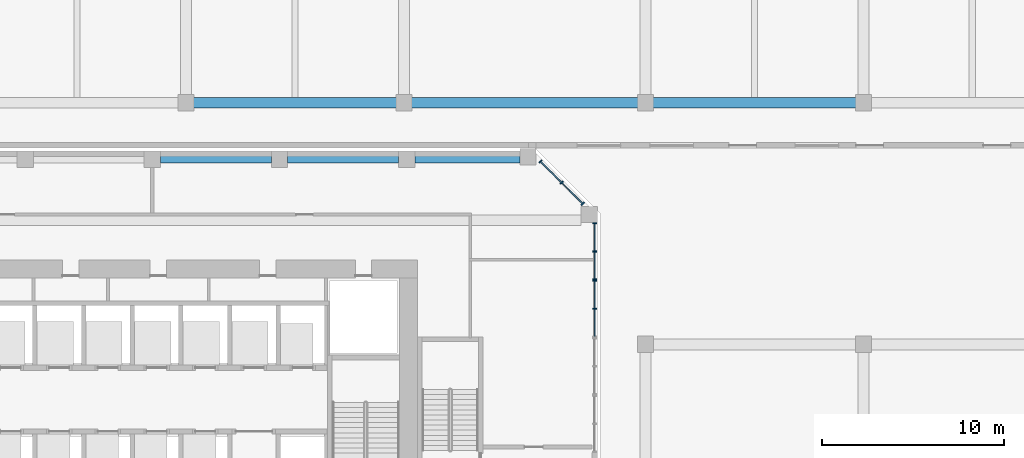
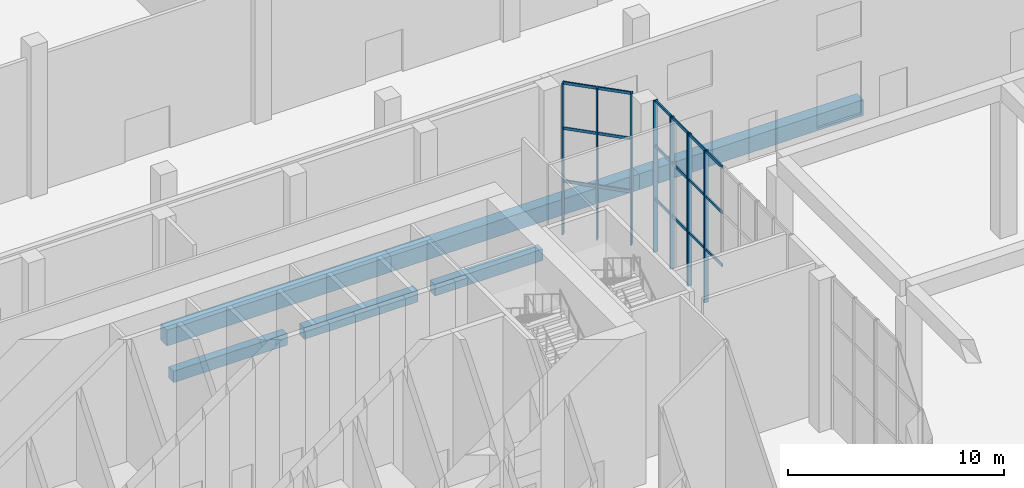
# One storey, part 12 of 43: 26 members, 6 beams, 3 elements without a shape of their own.
"""IFC4 building model written with IfcOpenShell, lengths in metres."""

from ifc_helpers import new_model, si_unit, direction, frame, origin, origin_2d, place, context, subcontext, project, spatial, rectangle, extrude, source, transform, mapped, material, material_profile, profile_set, type_object, element, aggregate, save


model = new_model("IFC4")

# Units and contexts
model_context = context("Model", 3, precision=1e-05, world=origin(), true_north=direction((0.0, 1.0)))
body_context = subcontext(model_context, "Body", "Model", "MODEL_VIEW")
ifc_project = project(units=[si_unit("LENGTHUNIT", "METRE"), si_unit("AREAUNIT", "SQUARE_METRE"), si_unit("VOLUMEUNIT", "CUBIC_METRE"), si_unit("PLANEANGLEUNIT", "RADIAN"), si_unit("MASSUNIT", "GRAM", prefix="KILO")], contexts=[model_context])

# Site, building, storey
site_placement = place(None, origin())
site = spatial("IfcSite", under=ifc_project, at=site_placement, CompositionType="ELEMENT")
building_placement = place(site_placement, origin())
building = spatial("IfcBuilding", under=site, at=building_placement, Name="Kilnfold Tower and Market Hall", CompositionType="ELEMENT")
storey_placement = place(building_placement, origin())
storey = spatial("IfcBuildingStorey", under=building, at=storey_placement, Name="L00", CompositionType="ELEMENT", Elevation=0.0)

# Beams
ifc_material_1 = material(Name="Concrete C40/50", Category="concrete")
ifc_material_profile_1 = material_profile(ifc_material_1, rectangle(XDim=0.60009765625, YDim=0.89990234375, at=origin_2d()), Name="RC 600x900")
ifc_profile_set_1 = profile_set([ifc_material_profile_1], Name="Concrete C40/50")
beam_type_1 = type_object("IfcBeamType", Name="HALL GIRDER 600X900", PredefinedType="BEAM", material=ifc_profile_set_1)
beam_1_placement = place(storey_placement, frame((5.35009765625, 30.64990234375, -0.860107421875), z_axis=(1.0, 0.0, 0.0), x_axis=(0.0, 1.0, 0.0)))
element("IfcBeam", 1, at=beam_1_placement, inside=storey, type_object=beam_type_1, Name="Beam MG1.57", PredefinedType="BEAM", context=body_context, shape_type="SweptSolid", body=[
    extrude(rectangle(XDim=0.60009765625, YDim=0.89990234375, at=origin_2d()), origin(), (0.0, 0.0, 1.0), 12.0),
])
beam_2_placement = place(storey_placement, frame((17.35009765625, 30.64990234375, -0.860107421875), z_axis=(1.0, 0.0, 0.0), x_axis=(0.0, 1.0, 0.0)))
element("IfcBeam", 2, at=beam_2_placement, inside=storey, type_object=beam_type_1, Name="Beam MG1.62", PredefinedType="BEAM", context=body_context, shape_type="SweptSolid", body=[
    extrude(rectangle(XDim=0.60009765625, YDim=0.89990234375, at=origin_2d()), origin(), (0.0, 0.0, 1.0), 13.2998046875),
])
beam_3_placement = place(storey_placement, frame((30.64990234375, 30.64990234375, -0.860107421875), z_axis=(1.0, 0.0, 0.0), x_axis=(0.0, 1.0, 0.0)))
element("IfcBeam", 3, at=beam_3_placement, inside=storey, type_object=beam_type_1, Name="Beam MG1.67", PredefinedType="BEAM", context=body_context, shape_type="SweptSolid", body=[
    extrude(rectangle(XDim=0.60009765625, YDim=0.89990234375, at=origin_2d()), origin(), (0.0, 0.0, 1.0), 12.0),
])
ifc_material_2 = material(Name="Concrete C45", Category="concrete")
ifc_material_profile_2 = material_profile(ifc_material_2, rectangle(XDim=0.449951171875, YDim=0.64990234375, at=origin_2d()), Name="RC 450x650")
ifc_profile_set_2 = profile_set([ifc_material_profile_2], Name="Concrete C45")
beam_type_2 = type_object("IfcBeamType", Name="EDGE BEAM 450X650 C45", PredefinedType="BEAM", material=ifc_profile_set_2)
shared_shape_1 = source(origin(), body_context, "Body", "SweptSolid", [
    extrude(rectangle(XDim=0.449951171875, YDim=0.64990234375, at=origin_2d()), origin(), (0.0, 0.0, 1.0), 6.10009765625),
])
for number, where, z_axis, x_axis, name in (
    (4, (3.949951171875, 27.550048828125, -0.735107421875), (1.0, 0.0, 0.0), (0.0, 1.0, 0.0), "Beam EB650-B1.27"),
    (5, (10.949951171875, 27.550048828125, -0.735107421875), (1.0, 0.0, 0.0), (0.0, 1.0, 0.0), "Beam EB650-B1.28"),
):
    element("IfcBeam", number, at=place(storey_placement, frame(where, z_axis=z_axis, x_axis=x_axis)), inside=storey, type_object=beam_type_2, Name=name, PredefinedType="BEAM", context=body_context, shape_type="MappedRepresentation", body=[
        mapped(shared_shape_1, transform((0.0, 0.0, 0.0))),
    ])
shared_shape_2 = source(origin(), body_context, "Body", "SweptSolid", [
    extrude(rectangle(XDim=0.449951171875, YDim=0.64990234375, at=origin_2d()), origin(), (0.0, 0.0, 1.0), 5.78173828125),
])
beam_4_placement = place(storey_placement, frame((17.949951171875, 27.550048828125, -0.735107421875), z_axis=(1.0, 0.0, 0.0), x_axis=(0.0, 1.0, 0.0)))
element("IfcBeam", 6, at=beam_4_placement, inside=storey, type_object=beam_type_2, Name="Beam EB650-B1.29", PredefinedType="BEAM", context=body_context, shape_type="MappedRepresentation", body=[
    mapped(shared_shape_2, transform((0.0, 0.0, 0.0))),
])

# Curtain wall, members
ifc_material_3 = material(Name="Aluminium and double glazing", Category="aluminium")
curtain_wall_type = type_object("IfcCurtainWallType", Name="CW BASE PODIUM GLAZING", PredefinedType="NOTDEFINED", material=ifc_material_3)
curtain_wall_1_placement = place(storey_placement, origin())
curtain_wall_1 = element("IfcCurtainWall", 7, at=curtain_wall_1_placement, inside=storey, type_object=curtain_wall_type, Name="Curtain wall CW4 L00 E", PredefinedType="NOTDEFINED")
ifc_material_4 = material(Name="Aluminium", Category="aluminium")
ifc_material_profile_3 = material_profile(ifc_material_4, rectangle(XDim=0.070068359375, YDim=0.219970703125, at=origin_2d()), Name="MULLION 70x220")
ifc_profile_set_3 = profile_set([ifc_material_profile_3], Name="Aluminium")
member_type_1 = type_object("IfcMemberType", Name="MULLION 70X220", PredefinedType="MULLION", material=ifc_profile_set_3)
shared_shape_3 = source(origin(), body_context, "Body", "SweptSolid", [
    extrude(rectangle(XDim=0.070068359375, YDim=0.219970703125, at=origin_2d()), origin(), (0.0, 0.0, 1.0), 8.60009765625),
])
member_1_placement = place(storey_placement, frame((27.85009765625, 19.30615234375, 0.0), z_axis=(0.0, 0.0, 1.0), x_axis=(0.0, 1.0, 0.0)))
member_1 = element("IfcMember", 8, at=member_1_placement, type_object=member_type_1, Name="CW4 mullion 2", PredefinedType="MULLION", context=body_context, shape_type="MappedRepresentation", body=[
    mapped(shared_shape_3, transform((0.0, 0.0, 0.0))),
])
member_2_placement = place(storey_placement, frame((27.85009765625, 20.8525390625, 0.0), z_axis=(0.0, 0.0, 1.0), x_axis=(0.0, 1.0, 0.0)))
member_2 = element("IfcMember", 9, at=member_2_placement, type_object=member_type_1, Name="CW4 mullion 3", PredefinedType="MULLION", context=body_context, shape_type="MappedRepresentation", body=[
    mapped(shared_shape_3, transform((0.0, 0.0, 0.0))),
])

curtain_wall_2_placement = place(storey_placement, origin())
curtain_wall_2 = element("IfcCurtainWall", 10, at=curtain_wall_2_placement, inside=storey, type_object=curtain_wall_type, Name="Curtain wall CW4 L00 E", PredefinedType="NOTDEFINED")
member_3_placement = place(storey_placement, frame((27.85009765625, 20.922607421875, 0.0), z_axis=(0.0, 0.0, 1.0), x_axis=(0.0, 1.0, 0.0)))
member_3 = element("IfcMember", 11, at=member_3_placement, type_object=member_type_1, Name="CW4 mullion 1", PredefinedType="MULLION", context=body_context, shape_type="MappedRepresentation", body=[
    mapped(shared_shape_3, transform((0.0, 0.0, 0.0))),
])
member_4_placement = place(storey_placement, frame((27.85009765625, 22.46875, 0.0), z_axis=(0.0, 0.0, 1.0), x_axis=(0.0, 1.0, 0.0)))
member_4 = element("IfcMember", 12, at=member_4_placement, type_object=member_type_1, Name="CW4 mullion 2", PredefinedType="MULLION", context=body_context, shape_type="MappedRepresentation", body=[
    mapped(shared_shape_3, transform((0.0, 0.0, 0.0))),
])
member_5_placement = place(storey_placement, frame((27.85009765625, 24.014892578125, 0.0), z_axis=(0.0, 0.0, 1.0), x_axis=(0.0, 1.0, 0.0)))
member_5 = element("IfcMember", 13, at=member_5_placement, type_object=member_type_1, Name="CW4 mullion 3", PredefinedType="MULLION", context=body_context, shape_type="MappedRepresentation", body=[
    mapped(shared_shape_3, transform((0.0, 0.0, 0.0))),
])

curtain_wall_3_placement = place(storey_placement, origin())
curtain_wall_3 = element("IfcCurtainWall", 14, at=curtain_wall_3_placement, inside=storey, type_object=curtain_wall_type, Name="Curtain wall CW4 L00 NE", PredefinedType="NOTDEFINED")
member_6_placement = place(storey_placement, frame((27.194091796875, 25.09375, 0.0), z_axis=(0.0, 0.0, 1.0), x_axis=(-0.707091894879, 0.707121667181, 0.0)))
member_6 = element("IfcMember", 15, at=member_6_placement, type_object=member_type_1, Name="CW4 mullion 1", PredefinedType="MULLION", context=body_context, shape_type="MappedRepresentation", body=[
    mapped(shared_shape_3, transform((0.0, 0.0, 0.0))),
])
member_7_placement = place(storey_placement, frame((26.031494140625, 26.25634765625, 0.0), z_axis=(0.0, 0.0, 1.0), x_axis=(-0.707091894879, 0.707121667181, 0.0)))
member_7 = element("IfcMember", 16, at=member_7_placement, type_object=member_type_1, Name="CW4 mullion 2", PredefinedType="MULLION", context=body_context, shape_type="MappedRepresentation", body=[
    mapped(shared_shape_3, transform((0.0, 0.0, 0.0))),
])
member_8_placement = place(storey_placement, frame((24.86865234375, 27.419189453125, 0.0), z_axis=(0.0, 0.0, 1.0), x_axis=(-0.707091894879, 0.707121667181, 0.0)))
member_8 = element("IfcMember", 17, at=member_8_placement, type_object=member_type_1, Name="CW4 mullion 3", PredefinedType="MULLION", context=body_context, shape_type="MappedRepresentation", body=[
    mapped(shared_shape_3, transform((0.0, 0.0, 0.0))),
])

# Member
ifc_material_5 = material(Name="Aluminium", Category="aluminium")
ifc_material_profile_4 = material_profile(ifc_material_5, rectangle(XDim=0.070068359375, YDim=0.159912109375, at=origin_2d()), Name="TRANSOM 70x160")
ifc_profile_set_4 = profile_set([ifc_material_profile_4], Name="Aluminium")
member_type_2 = type_object("IfcMemberType", Name="TRANSOM 70X160", PredefinedType="USERDEFINED", material=ifc_profile_set_4)
shared_shape_4 = source(origin(), body_context, "Body", "SweptSolid", [
    extrude(rectangle(XDim=0.070068359375, YDim=0.159912109375, at=origin_2d()), origin(), (0.0, 0.0, 1.0), 1.476318359375),
])
member_9_placement = place(storey_placement, frame((27.85009765625, 17.794921875, 3.0), z_axis=(0.0, 1.0, 0.0), x_axis=(-1.0, 0.0, 0.0)))
member_9 = element("IfcMember", 18, at=member_9_placement, type_object=member_type_2, Name="CW4 transom 1.2", ObjectType="TRANSOM", PredefinedType="USERDEFINED", context=body_context, shape_type="MappedRepresentation", body=[
    mapped(shared_shape_4, transform((0.0, 0.0, 0.0))),
])

member_10_placement = place(storey_placement, frame((27.85009765625, 17.794921875, 6.0), z_axis=(0.0, 1.0, 0.0), x_axis=(-1.0, 0.0, 0.0)))
member_10 = element("IfcMember", 19, at=member_10_placement, type_object=member_type_2, Name="CW4 transom 1.3", ObjectType="TRANSOM", PredefinedType="USERDEFINED", context=body_context, shape_type="MappedRepresentation", body=[
    mapped(shared_shape_4, transform((0.0, 0.0, 0.0))),
])

member_11_placement = place(storey_placement, frame((27.85009765625, 17.794921875, 8.56494140625), z_axis=(0.0, 1.0, 0.0), x_axis=(-1.0, 0.0, 0.0)))
member_11 = element("IfcMember", 20, at=member_11_placement, type_object=member_type_2, Name="CW4 transom 1.4", ObjectType="TRANSOM", PredefinedType="USERDEFINED", context=body_context, shape_type="MappedRepresentation", body=[
    mapped(shared_shape_4, transform((0.0, 0.0, 0.0))),
])

member_12_placement = place(storey_placement, frame((27.85009765625, 20.95751953125, 3.0), z_axis=(0.0, 1.0, 0.0), x_axis=(-1.0, 0.0, 0.0)))
member_12 = element("IfcMember", 21, at=member_12_placement, type_object=member_type_2, Name="CW4 transom 1.2", ObjectType="TRANSOM", PredefinedType="USERDEFINED", context=body_context, shape_type="MappedRepresentation", body=[
    mapped(shared_shape_4, transform((0.0, 0.0, 0.0))),
])

member_13_placement = place(storey_placement, frame((27.85009765625, 20.95751953125, 6.0), z_axis=(0.0, 1.0, 0.0), x_axis=(-1.0, 0.0, 0.0)))
member_13 = element("IfcMember", 22, at=member_13_placement, type_object=member_type_2, Name="CW4 transom 1.3", ObjectType="TRANSOM", PredefinedType="USERDEFINED", context=body_context, shape_type="MappedRepresentation", body=[
    mapped(shared_shape_4, transform((0.0, 0.0, 0.0))),
])

member_14_placement = place(storey_placement, frame((27.85009765625, 20.95751953125, 8.56494140625), z_axis=(0.0, 1.0, 0.0), x_axis=(-1.0, 0.0, 0.0)))
member_14 = element("IfcMember", 23, at=member_14_placement, type_object=member_type_2, Name="CW4 transom 1.4", ObjectType="TRANSOM", PredefinedType="USERDEFINED", context=body_context, shape_type="MappedRepresentation", body=[
    mapped(shared_shape_4, transform((0.0, 0.0, 0.0))),
])

member_15_placement = place(storey_placement, frame((27.85009765625, 22.503662109375, 3.0), z_axis=(0.0, 1.0, 0.0), x_axis=(-1.0, 0.0, 0.0)))
member_15 = element("IfcMember", 24, at=member_15_placement, type_object=member_type_2, Name="CW4 transom 2.2", ObjectType="TRANSOM", PredefinedType="USERDEFINED", context=body_context, shape_type="MappedRepresentation", body=[
    mapped(shared_shape_4, transform((0.0, 0.0, 0.0))),
])

member_16_placement = place(storey_placement, frame((27.85009765625, 22.503662109375, 6.0), z_axis=(0.0, 1.0, 0.0), x_axis=(-1.0, 0.0, 0.0)))
member_16 = element("IfcMember", 25, at=member_16_placement, type_object=member_type_2, Name="CW4 transom 2.3", ObjectType="TRANSOM", PredefinedType="USERDEFINED", context=body_context, shape_type="MappedRepresentation", body=[
    mapped(shared_shape_4, transform((0.0, 0.0, 0.0))),
])

member_17_placement = place(storey_placement, frame((27.85009765625, 22.503662109375, 8.56494140625), z_axis=(0.0, 1.0, 0.0), x_axis=(-1.0, 0.0, 0.0)))
member_17 = element("IfcMember", 26, at=member_17_placement, type_object=member_type_2, Name="CW4 transom 2.4", ObjectType="TRANSOM", PredefinedType="USERDEFINED", context=body_context, shape_type="MappedRepresentation", body=[
    mapped(shared_shape_4, transform((0.0, 0.0, 0.0))),
])

aggregate(curtain_wall_2, [member_3, member_4, member_5, member_12, member_13, member_14, member_15, member_16, member_17])

shared_shape_5 = source(origin(), body_context, "Body", "SweptSolid", [
    extrude(rectangle(XDim=0.070068359375, YDim=0.159912109375, at=origin_2d()), origin(), (0.0, 0.0, 1.0), 1.47607421875),
])
member_18_placement = place(storey_placement, frame((27.85009765625, 19.34130859375, 3.0), z_axis=(0.0, 1.0, 0.0), x_axis=(-1.0, 0.0, 0.0)))
member_18 = element("IfcMember", 27, at=member_18_placement, type_object=member_type_2, Name="CW4 transom 2.2", ObjectType="TRANSOM", PredefinedType="USERDEFINED", context=body_context, shape_type="MappedRepresentation", body=[
    mapped(shared_shape_5, transform((0.0, 0.0, 0.0))),
])

member_19_placement = place(storey_placement, frame((27.85009765625, 19.34130859375, 6.0), z_axis=(0.0, 1.0, 0.0), x_axis=(-1.0, 0.0, 0.0)))
member_19 = element("IfcMember", 28, at=member_19_placement, type_object=member_type_2, Name="CW4 transom 2.3", ObjectType="TRANSOM", PredefinedType="USERDEFINED", context=body_context, shape_type="MappedRepresentation", body=[
    mapped(shared_shape_5, transform((0.0, 0.0, 0.0))),
])

member_20_placement = place(storey_placement, frame((27.85009765625, 19.34130859375, 8.56494140625), z_axis=(0.0, 1.0, 0.0), x_axis=(-1.0, 0.0, 0.0)))
member_20 = element("IfcMember", 29, at=member_20_placement, type_object=member_type_2, Name="CW4 transom 2.4", ObjectType="TRANSOM", PredefinedType="USERDEFINED", context=body_context, shape_type="MappedRepresentation", body=[
    mapped(shared_shape_5, transform((0.0, 0.0, 0.0))),
])

aggregate(curtain_wall_1, [member_1, member_2, member_9, member_10, member_11, member_18, member_19, member_20])

shared_shape_6 = source(origin(), body_context, "Body", "SweptSolid", [
    extrude(rectangle(XDim=0.070068359375, YDim=0.159912109375, at=origin_2d()), origin(), (0.0, 0.0, 1.0), 1.574462890625),
])
member_21_placement = place(storey_placement, frame((27.16943359375, 25.118408203125, 3.0), z_axis=(-0.707106781187, 0.707106781187, 0.0), x_axis=(-0.707106781187, -0.707106781187, 0.0)))
member_21 = element("IfcMember", 30, at=member_21_placement, type_object=member_type_2, Name="CW4 transom 1.2", ObjectType="TRANSOM", PredefinedType="USERDEFINED", context=body_context, shape_type="MappedRepresentation", body=[
    mapped(shared_shape_6, transform((0.0, 0.0, 0.0))),
])

member_22_placement = place(storey_placement, frame((27.16943359375, 25.118408203125, 6.0), z_axis=(-0.707106781187, 0.707106781187, 0.0), x_axis=(-0.707106781187, -0.707106781187, 0.0)))
member_22 = element("IfcMember", 31, at=member_22_placement, type_object=member_type_2, Name="CW4 transom 1.3", ObjectType="TRANSOM", PredefinedType="USERDEFINED", context=body_context, shape_type="MappedRepresentation", body=[
    mapped(shared_shape_6, transform((0.0, 0.0, 0.0))),
])

member_23_placement = place(storey_placement, frame((27.16943359375, 25.118408203125, 8.56494140625), z_axis=(-0.707106781187, 0.707106781187, 0.0), x_axis=(-0.707106781187, -0.707106781187, 0.0)))
member_23 = element("IfcMember", 32, at=member_23_placement, type_object=member_type_2, Name="CW4 transom 1.4", ObjectType="TRANSOM", PredefinedType="USERDEFINED", context=body_context, shape_type="MappedRepresentation", body=[
    mapped(shared_shape_6, transform((0.0, 0.0, 0.0))),
])

member_24_placement = place(storey_placement, frame((26.006591796875, 26.28125, 3.0), z_axis=(-0.707106781187, 0.707106781187, 0.0), x_axis=(-0.707106781187, -0.707106781187, 0.0)))
member_24 = element("IfcMember", 33, at=member_24_placement, type_object=member_type_2, Name="CW4 transom 2.2", ObjectType="TRANSOM", PredefinedType="USERDEFINED", context=body_context, shape_type="MappedRepresentation", body=[
    mapped(shared_shape_6, transform((0.0, 0.0, 0.0))),
])

member_25_placement = place(storey_placement, frame((26.006591796875, 26.28125, 6.0), z_axis=(-0.707106781187, 0.707106781187, 0.0), x_axis=(-0.707106781187, -0.707106781187, 0.0)))
member_25 = element("IfcMember", 34, at=member_25_placement, type_object=member_type_2, Name="CW4 transom 2.3", ObjectType="TRANSOM", PredefinedType="USERDEFINED", context=body_context, shape_type="MappedRepresentation", body=[
    mapped(shared_shape_6, transform((0.0, 0.0, 0.0))),
])

member_26_placement = place(storey_placement, frame((26.006591796875, 26.28125, 8.56494140625), z_axis=(-0.707106781187, 0.707106781187, 0.0), x_axis=(-0.707106781187, -0.707106781187, 0.0)))
member_26 = element("IfcMember", 35, at=member_26_placement, type_object=member_type_2, Name="CW4 transom 2.4", ObjectType="TRANSOM", PredefinedType="USERDEFINED", context=body_context, shape_type="MappedRepresentation", body=[
    mapped(shared_shape_6, transform((0.0, 0.0, 0.0))),
])

aggregate(curtain_wall_3, [member_6, member_7, member_8, member_21, member_22, member_23, member_24, member_25, member_26])

save(model, "model.ifc")
